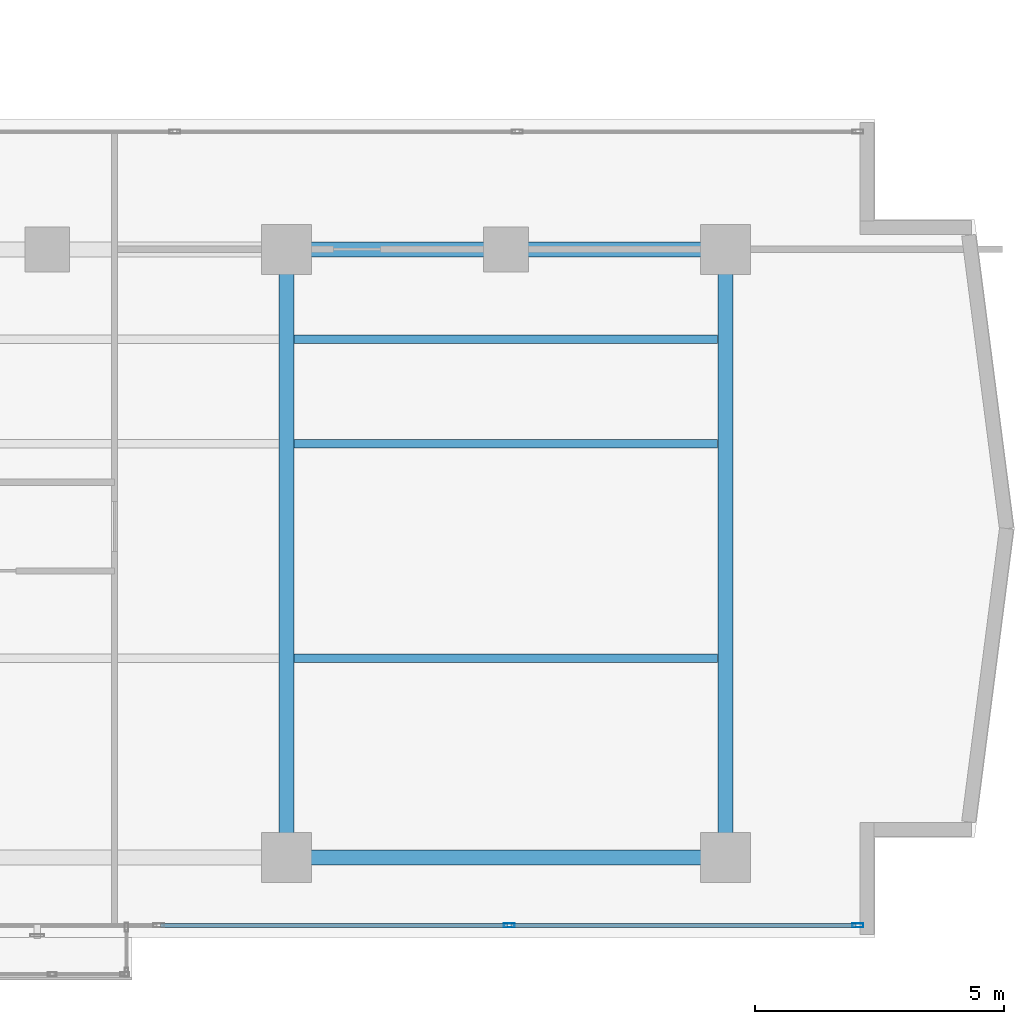
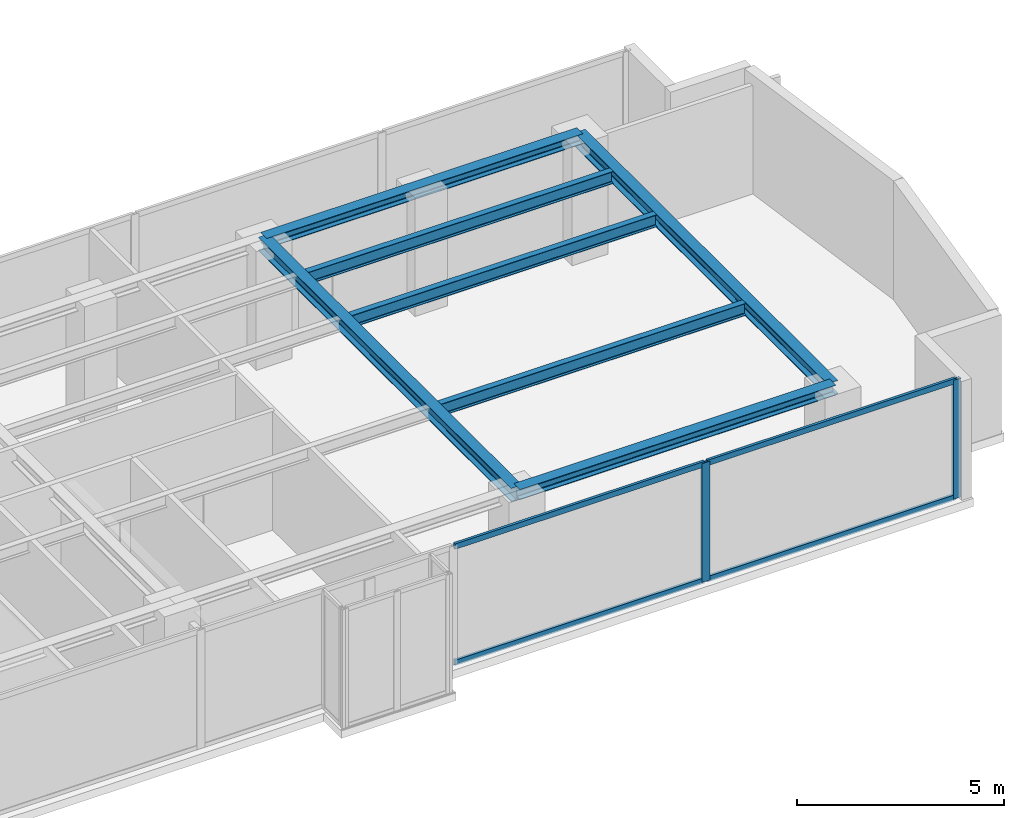
# One storey, part 11 of 22: 7 beams, 6 members, 1 element without a shape of its own.
"""IFC4 building model written with IfcOpenShell, lengths in metres."""

import ifcopenshell
import ifcopenshell.guid

model = None  # the IFC model being written
_history = None  # IfcOwnerHistory: only IFC2X3 demands one
_inside = {}  # id of a spatial element -> (the spatial element, [elements in it])
_under = {}  # id of a project, library or spatial element -> (it, [spatial elements below it])
_declared = {}  # id of a project -> (the project, [libraries it declares])
_typed = {}  # id of a type object -> (the type object, [elements of that type])
_made_of = {}  # id of a material, layer set ... -> (it, [elements and type objects made of it])


def new_model(schema):
    """Start an empty IFC model of exactly this schema.

    Asked for "IFC4X3", IfcOpenShell would pick the latest addendum, in which some entities
    have other attributes; the version numbers below select the first issue.
    IFC2X3 requires an IfcOwnerHistory on every rooted entity: one is made here for all.
    """
    global model, _history
    if schema == "IFC4X3":
        model = ifcopenshell.file(schema_version=(4, 3, 0, 0))
    else:
        model = ifcopenshell.file(schema=schema)
    _inside.clear()
    _under.clear()
    _declared.clear()
    _typed.clear()
    _made_of.clear()
    _history = None
    if model.schema == "IFC2X3":
        org = make("IfcOrganization", Name="unknown")
        user = make(
            "IfcPersonAndOrganization",
            ThePerson=make("IfcPerson", FamilyName="unknown"),
            TheOrganization=org,
        )
        app = make(
            "IfcApplication",
            ApplicationDeveloper=org,
            Version="unknown",
            ApplicationFullName="unknown",
            ApplicationIdentifier="unknown",
        )
        _history = make(
            "IfcOwnerHistory",
            OwningUser=user,
            OwningApplication=app,
            ChangeAction="ADDED",
            CreationDate=0,
        )
    return model


def make(cls, **values):
    """One entity of the class cls with the attributes given. An attribute that is None is left unset."""
    return model.create_entity(
        cls, **{name: value for name, value in values.items() if value is not None}
    )


def rooted(cls, **values):
    """An entity with a GlobalId (a new one), such as an element, a storey or a relation."""
    return make(cls, GlobalId=ifcopenshell.guid.new(), OwnerHistory=_history, **values)


def si_unit(unit_type, name, prefix=None):
    """IfcSIUnit, for example si_unit("LENGTHUNIT", "METRE", prefix="MILLI")."""
    return make("IfcSIUnit", UnitType=unit_type, Prefix=prefix, Name=name)


def assignment(units):
    """IfcUnitAssignment: the units of a project."""
    return None if units is None else make("IfcUnitAssignment", Units=units)


def point(xyz):
    """IfcCartesianPoint."""
    return None if xyz is None else make("IfcCartesianPoint", Coordinates=xyz)


def direction(xyz):
    """IfcDirection."""
    return None if xyz is None else make("IfcDirection", DirectionRatios=xyz)


def frame(location, z_axis=None, x_axis=None):
    """IfcAxis2Placement3D, a coordinate frame: its origin and axes. An axis left out is left unset."""
    return make(
        "IfcAxis2Placement3D",
        Location=point(location),
        Axis=direction(z_axis),
        RefDirection=direction(x_axis),
    )


def frame_2d(location, x_axis=None):
    """IfcAxis2Placement2D, a coordinate frame in the plane: its origin and x axis."""
    return make(
        "IfcAxis2Placement2D", Location=point(location), RefDirection=direction(x_axis)
    )


def origin():
    """The frame at (0, 0, 0) with its axes left unset."""
    return frame((0.0, 0.0, 0.0))


def origin_with_axes():
    """The frame at (0, 0, 0) with the z axis (0, 0, 1) and the x axis (1, 0, 0) written out."""
    return frame((0.0, 0.0, 0.0), z_axis=(0.0, 0.0, 1.0), x_axis=(1.0, 0.0, 0.0))


def origin_2d():
    """The frame at (0, 0) in the plane with its x axis left unset."""
    return frame_2d((0.0, 0.0))


def place(relative_to, where):
    """IfcLocalPlacement: puts the frame where relative to a parent placement (None: the world)."""
    return make(
        "IfcLocalPlacement", PlacementRelTo=relative_to, RelativePlacement=where
    )


def context(
    kind, dimensions, precision=None, world=None, true_north=None, identifier=None
):
    """IfcGeometricRepresentationContext, for example the 3D "Model" context."""
    return make(
        "IfcGeometricRepresentationContext",
        ContextIdentifier=identifier,
        ContextType=kind,
        CoordinateSpaceDimension=dimensions,
        Precision=precision,
        WorldCoordinateSystem=world,
        TrueNorth=true_north,
    )


def subcontext(parent, identifier, kind, view, scale=None):
    """IfcGeometricRepresentationSubContext, for example "Body" below "Model"."""
    return make(
        "IfcGeometricRepresentationSubContext",
        ContextIdentifier=identifier,
        ContextType=kind,
        ParentContext=parent,
        TargetScale=scale,
        TargetView=view,
    )


def project(units=None, contexts=None):
    """IfcProject with its units and contexts."""
    return rooted(
        "IfcProject",
        Name="project",
        RepresentationContexts=contexts,
        UnitsInContext=assignment(units),
    )


def spatial(cls, under=None, at=None, **own):
    """A site, building, storey or space (cls), placed at a placement, below another one or the project."""
    s = rooted(cls, ObjectPlacement=at, **own)
    if under is not None:
        _under.setdefault(under.id(), (under, []))[1].append(s)
    return s


def profile(cls, at=None, kind="AREA", **sizes):
    """A parametric profile (cls). Its sizes go by their IFC names, for example OverallWidth=200.0."""
    return make(cls, ProfileType=kind, Position=at, **sizes)


def hollow_rectangle(**sizes):
    """IfcRectangleHollowProfileDef."""
    return profile("IfcRectangleHollowProfileDef", **sizes)


def i_section(**sizes):
    """IfcIShapeProfileDef."""
    return profile("IfcIShapeProfileDef", **sizes)


def extrude(swept, where, along, depth):
    """IfcExtrudedAreaSolid: the profile swept, set in the frame where, extruded along a direction by depth."""
    return make(
        "IfcExtrudedAreaSolid",
        SweptArea=swept,
        Position=where,
        ExtrudedDirection=direction(along),
        Depth=depth,
    )


def shape(context_of_items, identifier, shape_type, items):
    """IfcShapeRepresentation: the items that make up one representation, for example the "Body"."""
    return make(
        "IfcShapeRepresentation",
        ContextOfItems=context_of_items,
        RepresentationIdentifier=identifier,
        RepresentationType=shape_type,
        Items=items,
    )


def source(mapping_origin, context_of_items, identifier, shape_type, items):
    """IfcRepresentationMap: a shape defined once, which mapped items show again and again."""
    return make(
        "IfcRepresentationMap",
        MappingOrigin=mapping_origin,
        MappedRepresentation=shape(context_of_items, identifier, shape_type, items),
    )


def transform(
    local_origin,
    x_axis=None,
    y_axis=None,
    z_axis=None,
    scale=None,
    scale2=None,
    scale3=None,
    uniform=True,
):
    """IfcCartesianTransformationOperator3D, or its non-uniform kind. x_axis, y_axis, z_axis: its Axis1, 2, 3."""
    if uniform:
        return make(
            "IfcCartesianTransformationOperator3D",
            Axis1=direction(x_axis),
            Axis2=direction(y_axis),
            LocalOrigin=point(local_origin),
            Scale=scale,
            Axis3=direction(z_axis),
        )
    return make(
        "IfcCartesianTransformationOperator3DnonUniform",
        Axis1=direction(x_axis),
        Axis2=direction(y_axis),
        LocalOrigin=point(local_origin),
        Scale=scale,
        Axis3=direction(z_axis),
        Scale2=scale2,
        Scale3=scale3,
    )


def mapped(mapping_source, mapping_target):
    """IfcMappedItem: shows the shape of a source again, moved by a transform."""
    return make(
        "IfcMappedItem", MappingSource=mapping_source, MappingTarget=mapping_target
    )


def material(Name=None, Category=None):
    """IfcMaterial."""
    return make("IfcMaterial", Name=Name, Category=Category)


def layer(
    of_material, thickness, ventilated=None, Name=None, Category=None, Priority=None
):
    """IfcMaterialLayer: one layer of a wall or slab, of a material (None: an air gap)."""
    return make(
        "IfcMaterialLayer",
        Material=of_material,
        LayerThickness=thickness,
        IsVentilated=ventilated,
        Name=Name,
        Category=Category,
        Priority=Priority,
    )


def layer_set(layers, Name=None):
    """IfcMaterialLayerSet."""
    return make("IfcMaterialLayerSet", MaterialLayers=layers, LayerSetName=Name)


def material_profile(
    of_material, cross_section, Name=None, Category=None, Priority=None
):
    """IfcMaterialProfile: a cross section and its material."""
    return make(
        "IfcMaterialProfile",
        Name=Name,
        Material=of_material,
        Profile=cross_section,
        Priority=Priority,
        Category=Category,
    )


def profile_set(profiles, Name=None, composite=None):
    """IfcMaterialProfileSet."""
    return make(
        "IfcMaterialProfileSet",
        Name=Name,
        MaterialProfiles=profiles,
        CompositeProfile=composite,
    )


def made_of(thing, what):
    """Note that an element or type object is made of a material, layer set ...; save() writes the relation."""
    if what is not None:
        _made_of.setdefault(what.id(), (what, []))[1].append(thing)
    return thing


def type_object(cls, material=None, **own):
    """A type object (cls), such as IfcWallType, which elements share."""
    return made_of(rooted(cls, **own), material)


def element(
    cls,
    number,
    at=None,
    inside=None,
    cuts=None,
    type_object=None,
    material=None,
    context=None,
    identifier="Body",
    shape_type=None,
    held_by="IfcProductDefinitionShape",
    body=None,
    shapes=None,
    **own,
):
    """One element of the class cls, such as IfcWall. Its Tag is "e" and its number.

    at: its placement. inside: the storey or other place that contains it. cuts: it is an
    opening in that element (IfcRelVoidsElement). A single representation is given by context,
    identifier, shape_type and body (its items); several are given by shapes. held_by: the class
    of the entity that holds the representations. save() writes the other relations.
    """
    e = rooted(cls, Tag="e%d" % number, ObjectPlacement=at, **own)
    if body is not None:
        shapes = [shape(context, identifier, shape_type, body)]
    if shapes is not None:
        e.Representation = make(held_by, Representations=shapes)
    if inside is not None:
        _inside.setdefault(inside.id(), (inside, []))[1].append(e)
    if cuts is not None:
        rooted(
            "IfcRelVoidsElement", RelatingBuildingElement=cuts, RelatedOpeningElement=e
        )
    if type_object is not None:
        _typed.setdefault(type_object.id(), (type_object, []))[1].append(e)
    return made_of(e, material)


def aggregate(whole, parts):
    """IfcRelAggregates: a whole, such as a stair, and the parts it consists of."""
    return rooted("IfcRelAggregates", RelatingObject=whole, RelatedObjects=parts)


def save(model, path):
    """Write the relations noted so far, then the file.

    IfcRelAggregates (storeys below a building ...), IfcRelContainedInSpatialStructure (elements
    in a storey), IfcRelDefinesByType, IfcRelAssociatesMaterial and IfcRelDeclares: one each for
    every whole, place, type object, material and project.
    """
    for whole, parts in _under.values():
        aggregate(whole, parts)
    for where, things in _inside.values():
        rooted(
            "IfcRelContainedInSpatialStructure",
            RelatedElements=things,
            RelatingStructure=where,
        )
    for kind, things in _typed.values():
        rooted("IfcRelDefinesByType", RelatedObjects=things, RelatingType=kind)
    for what, things in _made_of.values():
        rooted("IfcRelAssociatesMaterial", RelatedObjects=things, RelatingMaterial=what)
    for by, libraries in _declared.values():
        rooted("IfcRelDeclares", RelatingContext=by, RelatedDefinitions=libraries)
    model.write(path)


model = new_model("IFC4")

# Units and contexts
model_context = context("Model", 3, precision=1e-05, world=origin(), true_north=direction((0.0, 1.0)))
body_context = subcontext(model_context, "Body", "Model", "MODEL_VIEW")
ifc_project = project(units=[si_unit("LENGTHUNIT", "METRE"), si_unit("AREAUNIT", "SQUARE_METRE"), si_unit("VOLUMEUNIT", "CUBIC_METRE"), si_unit("PLANEANGLEUNIT", "RADIAN"), si_unit("MASSUNIT", "GRAM", prefix="KILO")], contexts=[model_context])

# Site, building, storey
site_placement = place(None, origin())
site = spatial("IfcSite", under=ifc_project, at=site_placement, CompositionType="ELEMENT")
building_placement = place(site_placement, origin())
building = spatial("IfcBuilding", under=site, at=building_placement, Name="Kolvaren Waterfront Exchange", CompositionType="ELEMENT")
storey_placement = place(building_placement, frame((0.0, 0.0, 219.699951171875)))
storey = spatial("IfcBuildingStorey", under=building, at=storey_placement, Name="L56", CompositionType="ELEMENT", Elevation=219.699951171875)

# Beams
ifc_material_1 = material(Name="Steel S355", Category="steel")
ifc_material_profile_1 = material_profile(ifc_material_1, i_section(OverallWidth=0.300048828125, OverallDepth=0.300048828125, WebThickness=0.010986328125, FlangeThickness=0.01904296875, FilletRadius=0.027099609375, at=origin_2d()), Name="HEB300")
ifc_profile_set_1 = profile_set([ifc_material_profile_1], Name="Steel S355")
beam_type_1 = type_object("IfcBeamType", Name="STR-BM-HEB300", PredefinedType="SPANDREL", material=ifc_profile_set_1)
for number, where, z_axis, x_axis, name in (
    (1, (36.800048828125, 5.199951171875, 3.35009765625), (1.0, 0.0, 0.0), (0.0, 1.0, 0.0), "L56 east-arm spandrel S3"),
    (2, (36.800048828125, 17.39990234375, 3.35009765625), (1.0, 0.0, 0.0), (0.0, 1.0, 0.0), "L56 east-arm spandrel N3"),
):
    element("IfcBeam", number, at=place(storey_placement, frame(where, z_axis=z_axis, x_axis=x_axis)), inside=storey, type_object=beam_type_1, Name=name, PredefinedType="SPANDREL", context=body_context, shape_type="SweptSolid", body=[
        extrude(i_section(OverallWidth=0.300048828125, OverallDepth=0.300048828125, WebThickness=0.010986328125, FlangeThickness=0.01904296875, FilletRadius=0.027099609375, at=origin_2d()), origin(), (0.0, 0.0, 1.0), 8.800048828125),
    ])
ifc_material_profile_2 = material_profile(ifc_material_1, i_section(OverallWidth=0.300048828125, OverallDepth=0.39990234375, WebThickness=0.013427734375, FlangeThickness=0.02392578125, FilletRadius=0.027099609375, at=origin_2d()), Name="HEB400")
ifc_profile_set_2 = profile_set([ifc_material_profile_2], Name="Steel S355")
beam_type_2 = type_object("IfcBeamType", Name="STR-BM-HEB400", PredefinedType="BEAM", material=ifc_profile_set_2)
for number, where, z_axis, x_axis, name in (
    (3, (36.800048828125, 5.199951171875, 3.300048828125), (0.0, 1.0, 0.0), (-1.0, 0.0, 0.0), "L56 east-arm transverse girder X36"),
    (4, (45.60009765625, 5.199951171875, 3.300048828125), (0.0, 1.0, 0.0), (-1.0, 0.0, 0.0), "L56 east-arm transverse girder X45"),
):
    element("IfcBeam", number, at=place(storey_placement, frame(where, z_axis=z_axis, x_axis=x_axis)), inside=storey, type_object=beam_type_2, Name=name, PredefinedType="BEAM", context=body_context, shape_type="SweptSolid", body=[
        extrude(i_section(OverallWidth=0.300048828125, OverallDepth=0.39990234375, WebThickness=0.013427734375, FlangeThickness=0.02392578125, FilletRadius=0.027099609375, at=origin_2d()), origin(), (0.0, 0.0, 1.0), 12.199951171875),
    ])
ifc_material_profile_3 = material_profile(ifc_material_1, i_section(OverallWidth=0.169921875, OverallDepth=0.360107421875, WebThickness=0.008056640625, FlangeThickness=0.0126953125, FilletRadius=0.01806640625, at=origin_2d()), Name="IPE360")
ifc_profile_set_3 = profile_set([ifc_material_profile_3], Name="Steel S355")
beam_type_3 = type_object("IfcBeamType", Name="STR-BM-IPE360", PredefinedType="JOIST", material=ifc_profile_set_3)
for number, where, z_axis, x_axis, name in (
    (5, (36.951904296875, 13.5, 3.320068359375), (1.0, 0.0, 0.0), (0.0, 1.0, 0.0), "L56 east-arm composite joist 3A"),
    (6, (36.951904296875, 15.60009765625, 3.320068359375), (1.0, 0.0, 0.0), (0.0, 1.0, 0.0), "L56 east-arm composite joist 3C"),
    (7, (36.951904296875, 9.199951171875, 3.320068359375), (1.0, 0.0, 0.0), (0.0, 1.0, 0.0), "L56 east-arm composite joist 3B"),
):
    element("IfcBeam", number, at=place(storey_placement, frame(where, z_axis=z_axis, x_axis=x_axis)), inside=storey, type_object=beam_type_3, Name=name, PredefinedType="JOIST", context=body_context, shape_type="SweptSolid", body=[
        extrude(i_section(OverallWidth=0.169921875, OverallDepth=0.360107421875, WebThickness=0.008056640625, FlangeThickness=0.0126953125, FilletRadius=0.01806640625, at=origin_2d()), origin(), (0.0, 0.0, 1.0), 8.49609375),
    ])

# Curtain wall, members
ifc_material_2 = material(Name="Anodised bronze aluminium 6063-T6", Category="aluminium")
ifc_layer = layer(ifc_material_2, 0.219970703125, Name="Anodised bronze aluminium 6063-T6")
ifc_layer_set = layer_set([ifc_layer], Name="Anodised bronze aluminium 6063-T6")
curtain_wall_type = type_object("IfcCurtainWallType", Name="ARC-CW-SYS1", PredefinedType="USERDEFINED", material=ifc_layer_set)
curtain_wall_placement = place(storey_placement, origin())
curtain_wall = element("IfcCurtainWall", 8, at=curtain_wall_placement, inside=storey, type_object=curtain_wall_type, Name="L56 stick curtain wall CW1 (CW-L56-S)", ObjectType="STICK CURTAIN WALL", PredefinedType="USERDEFINED")
ifc_material_3 = material(Name="Anodised aluminium 6063-T6", Category="aluminium")
ifc_material_profile_4 = material_profile(ifc_material_3, hollow_rectangle(XDim=0.080078125, YDim=0.219970703125, WallThickness=0.0048828125, at=origin_2d()), Name="ALU-MUL-220x80x5")
ifc_profile_set_4 = profile_set([ifc_material_profile_4], Name="Anodised aluminium 6063-T6")
member_type_1 = type_object("IfcMemberType", Name="ARC-CWM-220", PredefinedType="MULLION", material=ifc_profile_set_4)
shared_shape_1 = source(origin_with_axes(), body_context, "Body", "SweptSolid", [
    extrude(hollow_rectangle(XDim=0.080078125, YDim=0.219970703125, WallThickness=0.0048828125, at=origin_2d()), origin(), (0.0, 0.0, 1.0), 3.5),
])
member_1_placement = place(storey_placement, frame((41.2666015625, 3.840087890625, 0.0), z_axis=(0.0, 0.0, 1.0), x_axis=(0.0, 1.0, 0.0)))
member_1 = element("IfcMember", 9, at=member_1_placement, type_object=member_type_1, Name="CW1 mullion 6", PredefinedType="MULLION", context=body_context, shape_type="MappedRepresentation", body=[
    mapped(shared_shape_1, transform((0.0, 0.0, 0.0), x_axis=(1.0, 0.0, 0.0), y_axis=(0.0, 1.0, 0.0), z_axis=(0.0, 0.0, 1.0), scale=1.0)),
])
member_2_placement = place(storey_placement, frame((48.260009765625, 3.840087890625, 0.0), z_axis=(0.0, 0.0, 1.0), x_axis=(0.0, 1.0, 0.0)))
member_2 = element("IfcMember", 10, at=member_2_placement, type_object=member_type_1, Name="CW1 mullion 7", PredefinedType="MULLION", context=body_context, shape_type="MappedRepresentation", body=[
    mapped(shared_shape_1, transform((0.0, 0.0, 0.0), x_axis=(1.0, 0.0, 0.0), y_axis=(0.0, 1.0, 0.0), z_axis=(0.0, 0.0, 1.0), scale=1.0)),
])
ifc_material_profile_5 = material_profile(ifc_material_3, hollow_rectangle(XDim=0.074951171875, YDim=0.159912109375, WallThickness=0.00439453125, at=origin_2d()), Name="ALU-TRN-160x75x4.5")
ifc_profile_set_5 = profile_set([ifc_material_profile_5], Name="Anodised aluminium 6063-T6")
member_type_2 = type_object("IfcMemberType", Name="ARC-CWT-160", PredefinedType="USERDEFINED", material=ifc_profile_set_5)
shared_shape_2 = source(origin_with_axes(), body_context, "Body", "SweptSolid", [
    extrude(hollow_rectangle(XDim=0.074951171875, YDim=0.159912109375, WallThickness=0.00439453125, at=origin_2d()), origin(), (0.0, 0.0, 1.0), 6.913330078125),
])
member_3_placement = place(storey_placement, frame((41.306640625, 3.840087890625, 0.03759765625), z_axis=(1.0, 0.0, 0.0), x_axis=(0.0, 1.0, 0.0)))
member_3 = element("IfcMember", 11, at=member_3_placement, type_object=member_type_2, Name="CW1 transom 6.1", ObjectType="TRANSOM", PredefinedType="USERDEFINED", context=body_context, shape_type="MappedRepresentation", body=[
    mapped(shared_shape_2, transform((0.0, 0.0, 0.0), x_axis=(1.0, 0.0, 0.0), y_axis=(0.0, 1.0, 0.0), z_axis=(0.0, 0.0, 1.0), scale=1.0)),
])
member_4_placement = place(storey_placement, frame((41.306640625, 3.840087890625, 3.462646484375), z_axis=(1.0, 0.0, 0.0), x_axis=(0.0, 1.0, 0.0)))
member_4 = element("IfcMember", 12, at=member_4_placement, type_object=member_type_2, Name="CW1 transom 6.2", ObjectType="TRANSOM", PredefinedType="USERDEFINED", context=body_context, shape_type="MappedRepresentation", body=[
    mapped(shared_shape_2, transform((0.0, 0.0, 0.0), x_axis=(1.0, 0.0, 0.0), y_axis=(0.0, 1.0, 0.0), z_axis=(0.0, 0.0, 1.0), scale=1.0)),
])
shared_shape_3 = source(origin_with_axes(), body_context, "Body", "SweptSolid", [
    extrude(hollow_rectangle(XDim=0.074951171875, YDim=0.159912109375, WallThickness=0.00439453125, at=origin_2d()), origin(), (0.0, 0.0, 1.0), 6.953125),
])
member_5_placement = place(storey_placement, frame((34.2734375, 3.840087890625, 0.03759765625), z_axis=(1.0, 0.0, 0.0), x_axis=(0.0, 1.0, 0.0)))
member_5 = element("IfcMember", 13, at=member_5_placement, type_object=member_type_2, Name="CW1 transom 5.1", ObjectType="TRANSOM", PredefinedType="USERDEFINED", context=body_context, shape_type="MappedRepresentation", body=[
    mapped(shared_shape_3, transform((0.0, 0.0, 0.0), x_axis=(1.0, 0.0, 0.0), y_axis=(0.0, 1.0, 0.0), z_axis=(0.0, 0.0, 1.0), scale=1.0)),
])
member_6_placement = place(storey_placement, frame((34.2734375, 3.840087890625, 3.462646484375), z_axis=(1.0, 0.0, 0.0), x_axis=(0.0, 1.0, 0.0)))
member_6 = element("IfcMember", 14, at=member_6_placement, type_object=member_type_2, Name="CW1 transom 5.2", ObjectType="TRANSOM", PredefinedType="USERDEFINED", context=body_context, shape_type="MappedRepresentation", body=[
    mapped(shared_shape_3, transform((0.0, 0.0, 0.0), x_axis=(1.0, 0.0, 0.0), y_axis=(0.0, 1.0, 0.0), z_axis=(0.0, 0.0, 1.0), scale=1.0)),
])
aggregate(curtain_wall, [member_1, member_2, member_5, member_6, member_3, member_4])

save(model, "model.ifc")
